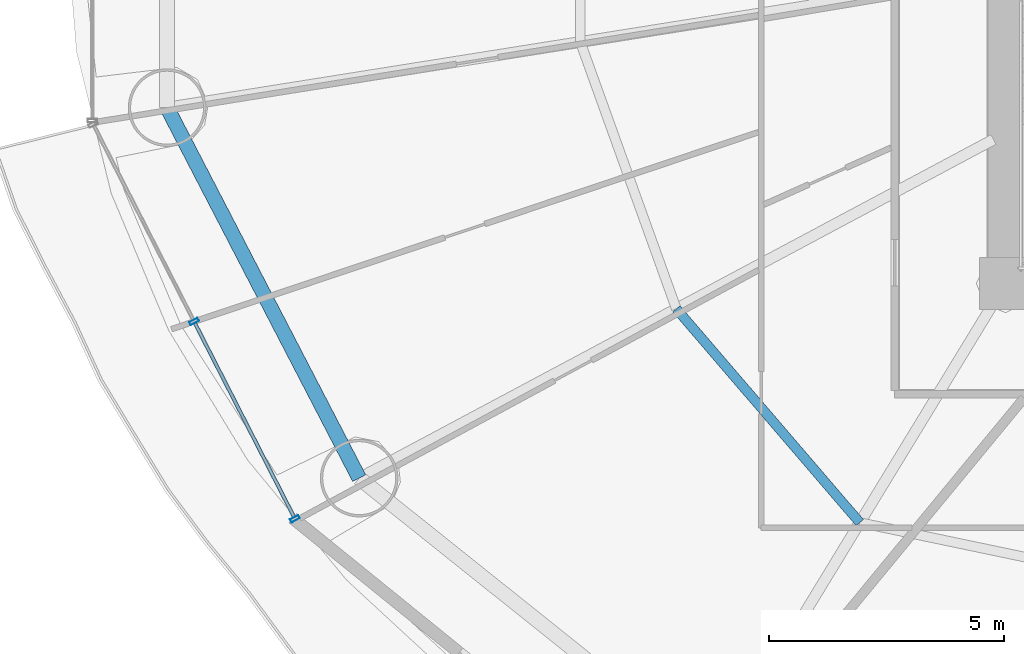
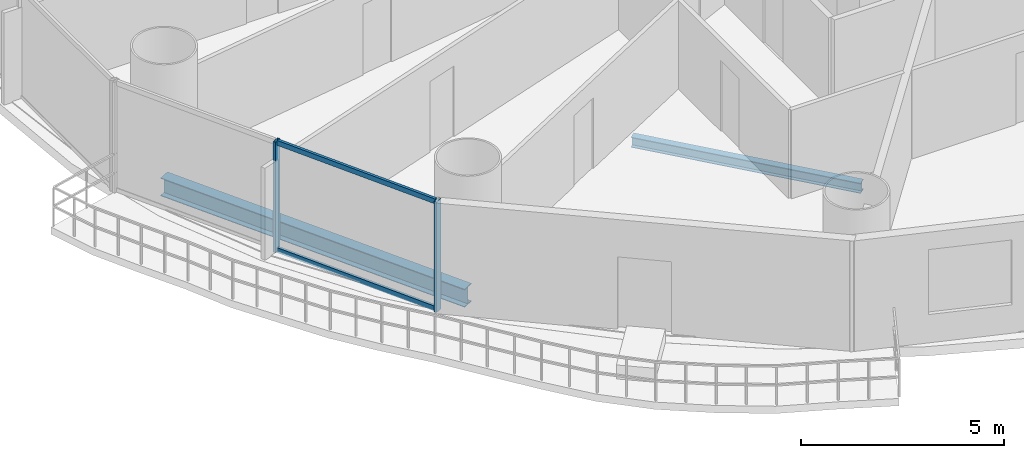
# One storey, part 2 of 29: 4 members, 2 beams, 1 element without a shape of its own.
"""IFC4 building model written with IfcOpenShell, lengths in metres."""

import ifcopenshell
import ifcopenshell.guid

model = None  # the IFC model being written
_history = None  # IfcOwnerHistory: only IFC2X3 demands one
_inside = {}  # id of a spatial element -> (the spatial element, [elements in it])
_under = {}  # id of a project, library or spatial element -> (it, [spatial elements below it])
_declared = {}  # id of a project -> (the project, [libraries it declares])
_typed = {}  # id of a type object -> (the type object, [elements of that type])
_made_of = {}  # id of a material, layer set ... -> (it, [elements and type objects made of it])


def new_model(schema):
    """Start an empty IFC model of exactly this schema.

    Asked for "IFC4X3", IfcOpenShell would pick the latest addendum, in which some entities
    have other attributes; the version numbers below select the first issue.
    IFC2X3 requires an IfcOwnerHistory on every rooted entity: one is made here for all.
    """
    global model, _history
    if schema == "IFC4X3":
        model = ifcopenshell.file(schema_version=(4, 3, 0, 0))
    else:
        model = ifcopenshell.file(schema=schema)
    _inside.clear()
    _under.clear()
    _declared.clear()
    _typed.clear()
    _made_of.clear()
    _history = None
    if model.schema == "IFC2X3":
        org = make("IfcOrganization", Name="unknown")
        user = make(
            "IfcPersonAndOrganization",
            ThePerson=make("IfcPerson", FamilyName="unknown"),
            TheOrganization=org,
        )
        app = make(
            "IfcApplication",
            ApplicationDeveloper=org,
            Version="unknown",
            ApplicationFullName="unknown",
            ApplicationIdentifier="unknown",
        )
        _history = make(
            "IfcOwnerHistory",
            OwningUser=user,
            OwningApplication=app,
            ChangeAction="ADDED",
            CreationDate=0,
        )
    return model


def make(cls, **values):
    """One entity of the class cls with the attributes given. An attribute that is None is left unset."""
    return model.create_entity(
        cls, **{name: value for name, value in values.items() if value is not None}
    )


def rooted(cls, **values):
    """An entity with a GlobalId (a new one), such as an element, a storey or a relation."""
    return make(cls, GlobalId=ifcopenshell.guid.new(), OwnerHistory=_history, **values)


def si_unit(unit_type, name, prefix=None):
    """IfcSIUnit, for example si_unit("LENGTHUNIT", "METRE", prefix="MILLI")."""
    return make("IfcSIUnit", UnitType=unit_type, Prefix=prefix, Name=name)


def assignment(units):
    """IfcUnitAssignment: the units of a project."""
    return None if units is None else make("IfcUnitAssignment", Units=units)


def point(xyz):
    """IfcCartesianPoint."""
    return None if xyz is None else make("IfcCartesianPoint", Coordinates=xyz)


def direction(xyz):
    """IfcDirection."""
    return None if xyz is None else make("IfcDirection", DirectionRatios=xyz)


def frame(location, z_axis=None, x_axis=None):
    """IfcAxis2Placement3D, a coordinate frame: its origin and axes. An axis left out is left unset."""
    return make(
        "IfcAxis2Placement3D",
        Location=point(location),
        Axis=direction(z_axis),
        RefDirection=direction(x_axis),
    )


def frame_2d(location, x_axis=None):
    """IfcAxis2Placement2D, a coordinate frame in the plane: its origin and x axis."""
    return make(
        "IfcAxis2Placement2D", Location=point(location), RefDirection=direction(x_axis)
    )


def origin():
    """The frame at (0, 0, 0) with its axes left unset."""
    return frame((0.0, 0.0, 0.0))


def origin_2d():
    """The frame at (0, 0) in the plane with its x axis left unset."""
    return frame_2d((0.0, 0.0))


def place(relative_to, where):
    """IfcLocalPlacement: puts the frame where relative to a parent placement (None: the world)."""
    return make(
        "IfcLocalPlacement", PlacementRelTo=relative_to, RelativePlacement=where
    )


def context(
    kind, dimensions, precision=None, world=None, true_north=None, identifier=None
):
    """IfcGeometricRepresentationContext, for example the 3D "Model" context."""
    return make(
        "IfcGeometricRepresentationContext",
        ContextIdentifier=identifier,
        ContextType=kind,
        CoordinateSpaceDimension=dimensions,
        Precision=precision,
        WorldCoordinateSystem=world,
        TrueNorth=true_north,
    )


def subcontext(parent, identifier, kind, view, scale=None):
    """IfcGeometricRepresentationSubContext, for example "Body" below "Model"."""
    return make(
        "IfcGeometricRepresentationSubContext",
        ContextIdentifier=identifier,
        ContextType=kind,
        ParentContext=parent,
        TargetScale=scale,
        TargetView=view,
    )


def project(units=None, contexts=None):
    """IfcProject with its units and contexts."""
    return rooted(
        "IfcProject",
        Name="project",
        RepresentationContexts=contexts,
        UnitsInContext=assignment(units),
    )


def spatial(cls, under=None, at=None, **own):
    """A site, building, storey or space (cls), placed at a placement, below another one or the project."""
    s = rooted(cls, ObjectPlacement=at, **own)
    if under is not None:
        _under.setdefault(under.id(), (under, []))[1].append(s)
    return s


def profile(cls, at=None, kind="AREA", **sizes):
    """A parametric profile (cls). Its sizes go by their IFC names, for example OverallWidth=200.0."""
    return make(cls, ProfileType=kind, Position=at, **sizes)


def hollow_rectangle(**sizes):
    """IfcRectangleHollowProfileDef."""
    return profile("IfcRectangleHollowProfileDef", **sizes)


def i_section(**sizes):
    """IfcIShapeProfileDef."""
    return profile("IfcIShapeProfileDef", **sizes)


def extrude(swept, where, along, depth):
    """IfcExtrudedAreaSolid: the profile swept, set in the frame where, extruded along a direction by depth."""
    return make(
        "IfcExtrudedAreaSolid",
        SweptArea=swept,
        Position=where,
        ExtrudedDirection=direction(along),
        Depth=depth,
    )


def shape(context_of_items, identifier, shape_type, items):
    """IfcShapeRepresentation: the items that make up one representation, for example the "Body"."""
    return make(
        "IfcShapeRepresentation",
        ContextOfItems=context_of_items,
        RepresentationIdentifier=identifier,
        RepresentationType=shape_type,
        Items=items,
    )


def source(mapping_origin, context_of_items, identifier, shape_type, items):
    """IfcRepresentationMap: a shape defined once, which mapped items show again and again."""
    return make(
        "IfcRepresentationMap",
        MappingOrigin=mapping_origin,
        MappedRepresentation=shape(context_of_items, identifier, shape_type, items),
    )


def transform(
    local_origin,
    x_axis=None,
    y_axis=None,
    z_axis=None,
    scale=None,
    scale2=None,
    scale3=None,
    uniform=True,
):
    """IfcCartesianTransformationOperator3D, or its non-uniform kind. x_axis, y_axis, z_axis: its Axis1, 2, 3."""
    if uniform:
        return make(
            "IfcCartesianTransformationOperator3D",
            Axis1=direction(x_axis),
            Axis2=direction(y_axis),
            LocalOrigin=point(local_origin),
            Scale=scale,
            Axis3=direction(z_axis),
        )
    return make(
        "IfcCartesianTransformationOperator3DnonUniform",
        Axis1=direction(x_axis),
        Axis2=direction(y_axis),
        LocalOrigin=point(local_origin),
        Scale=scale,
        Axis3=direction(z_axis),
        Scale2=scale2,
        Scale3=scale3,
    )


def mapped(mapping_source, mapping_target):
    """IfcMappedItem: shows the shape of a source again, moved by a transform."""
    return make(
        "IfcMappedItem", MappingSource=mapping_source, MappingTarget=mapping_target
    )


def material(Name=None, Category=None):
    """IfcMaterial."""
    return make("IfcMaterial", Name=Name, Category=Category)


def material_profile(
    of_material, cross_section, Name=None, Category=None, Priority=None
):
    """IfcMaterialProfile: a cross section and its material."""
    return make(
        "IfcMaterialProfile",
        Name=Name,
        Material=of_material,
        Profile=cross_section,
        Priority=Priority,
        Category=Category,
    )


def profile_set(profiles, Name=None, composite=None):
    """IfcMaterialProfileSet."""
    return make(
        "IfcMaterialProfileSet",
        Name=Name,
        MaterialProfiles=profiles,
        CompositeProfile=composite,
    )


def made_of(thing, what):
    """Note that an element or type object is made of a material, layer set ...; save() writes the relation."""
    if what is not None:
        _made_of.setdefault(what.id(), (what, []))[1].append(thing)
    return thing


def type_object(cls, material=None, **own):
    """A type object (cls), such as IfcWallType, which elements share."""
    return made_of(rooted(cls, **own), material)


def element(
    cls,
    number,
    at=None,
    inside=None,
    cuts=None,
    type_object=None,
    material=None,
    context=None,
    identifier="Body",
    shape_type=None,
    held_by="IfcProductDefinitionShape",
    body=None,
    shapes=None,
    **own,
):
    """One element of the class cls, such as IfcWall. Its Tag is "e" and its number.

    at: its placement. inside: the storey or other place that contains it. cuts: it is an
    opening in that element (IfcRelVoidsElement). A single representation is given by context,
    identifier, shape_type and body (its items); several are given by shapes. held_by: the class
    of the entity that holds the representations. save() writes the other relations.
    """
    e = rooted(cls, Tag="e%d" % number, ObjectPlacement=at, **own)
    if body is not None:
        shapes = [shape(context, identifier, shape_type, body)]
    if shapes is not None:
        e.Representation = make(held_by, Representations=shapes)
    if inside is not None:
        _inside.setdefault(inside.id(), (inside, []))[1].append(e)
    if cuts is not None:
        rooted(
            "IfcRelVoidsElement", RelatingBuildingElement=cuts, RelatedOpeningElement=e
        )
    if type_object is not None:
        _typed.setdefault(type_object.id(), (type_object, []))[1].append(e)
    return made_of(e, material)


def aggregate(whole, parts):
    """IfcRelAggregates: a whole, such as a stair, and the parts it consists of."""
    return rooted("IfcRelAggregates", RelatingObject=whole, RelatedObjects=parts)


def save(model, path):
    """Write the relations noted so far, then the file.

    IfcRelAggregates (storeys below a building ...), IfcRelContainedInSpatialStructure (elements
    in a storey), IfcRelDefinesByType, IfcRelAssociatesMaterial and IfcRelDeclares: one each for
    every whole, place, type object, material and project.
    """
    for whole, parts in _under.values():
        aggregate(whole, parts)
    for where, things in _inside.values():
        rooted(
            "IfcRelContainedInSpatialStructure",
            RelatedElements=things,
            RelatingStructure=where,
        )
    for kind, things in _typed.values():
        rooted("IfcRelDefinesByType", RelatedObjects=things, RelatingType=kind)
    for what, things in _made_of.values():
        rooted("IfcRelAssociatesMaterial", RelatedObjects=things, RelatingMaterial=what)
    for by, libraries in _declared.values():
        rooted("IfcRelDeclares", RelatingContext=by, RelatedDefinitions=libraries)
    model.write(path)


model = new_model("IFC4")

# Units and contexts
model_context = context("Model", 3, precision=1e-05, world=origin(), true_north=direction((-0.2419218956, 0.970295726276)))
body_context = subcontext(model_context, "Body", "Model", "MODEL_VIEW")
ifc_project = project(units=[si_unit("LENGTHUNIT", "METRE"), si_unit("AREAUNIT", "SQUARE_METRE"), si_unit("VOLUMEUNIT", "CUBIC_METRE"), si_unit("PLANEANGLEUNIT", "RADIAN"), si_unit("MASSUNIT", "GRAM", prefix="KILO")], contexts=[model_context])

# Site, building, storey
site_placement = place(None, origin())
site = spatial("IfcSite", under=ifc_project, at=site_placement, CompositionType="ELEMENT")
building_placement = place(site_placement, origin())
building = spatial("IfcBuilding", under=site, at=building_placement, Name="Cobrevalo Terracotta Tower", CompositionType="ELEMENT")
storey_placement = place(building_placement, frame((0.0, 0.0, 49.199951171875)))
storey = spatial("IfcBuildingStorey", under=building, at=storey_placement, Name="L12", CompositionType="ELEMENT", Elevation=49.199951171875)

# Beams
ifc_material_1 = material(Name="Steel S355", Category="steel")
ifc_material_profile_1 = material_profile(ifc_material_1, i_section(OverallWidth=0.2041015625, OverallDepth=0.305908203125, WebThickness=0.008544921875, FlangeThickness=0.0146484375, at=origin_2d()), Name="W 310x67")
ifc_profile_set_1 = profile_set([ifc_material_profile_1], Name="Steel S355")
beam_type_1 = type_object("IfcBeamType", Name="Structural Joist W 310x67 (Steel S355)", PredefinedType="JOIST", material=ifc_profile_set_1)
beam_1_placement = place(storey_placement, frame((22.002197265625, 18.26025390625, -0.432861328125), z_axis=(0.651328404454, -0.758795960421, 0.0), x_axis=(0.758795960421, 0.651328404454, 0.0)))
element("IfcBeam", 1, at=beam_1_placement, inside=storey, type_object=beam_type_1, Name="L12 circumferential secondary floor joist 10", PredefinedType="JOIST", context=body_context, shape_type="SweptSolid", body=[
    extrude(i_section(OverallWidth=0.2041015625, OverallDepth=0.305908203125, WebThickness=0.008544921875, FlangeThickness=0.0146484375, at=origin_2d()), origin(), (0.0, 0.0, 1.0), 5.98828125),
])
ifc_material_profile_2 = material_profile(ifc_material_1, i_section(OverallWidth=0.31201171875, OverallDepth=0.54296875, WebThickness=0.0126953125, FlangeThickness=0.020263671875, at=origin_2d()), Name="W 530x150")
ifc_profile_set_2 = profile_set([ifc_material_profile_2], Name="Steel S355")
beam_type_2 = type_object("IfcBeamType", Name="Structural Spandrel W 530x150 (Steel S355)", PredefinedType="SPANDREL", material=ifc_profile_set_2)
beam_2_placement = place(storey_placement, frame((11.175537109375, 22.537353515625, -0.551513671875), z_axis=(0.460285838799, -0.88777077368, 0.0), x_axis=(0.88777077368, 0.460285838799, 0.0)))
element("IfcBeam", 2, at=beam_2_placement, inside=storey, type_object=beam_type_2, Name="L12 perimeter ring spandrel 09", PredefinedType="SPANDREL", context=body_context, shape_type="SweptSolid", body=[
    extrude(i_section(OverallWidth=0.31201171875, OverallDepth=0.54296875, WebThickness=0.0126953125, FlangeThickness=0.020263671875, at=origin_2d()), origin(), (0.0, 0.0, 1.0), 8.8720703125),
])

# Curtain wall, members
ifc_material_2 = material(Name="Anodized aluminium", Category="aluminium")
curtain_wall_type = type_object("IfcCurtainWallType", Name="Lower-tower unitised acoustic low-E curtain wall CW-U1", PredefinedType="NOTDEFINED", material=ifc_material_2)
curtain_wall_placement = place(storey_placement, origin())
curtain_wall = element("IfcCurtainWall", 3, at=curtain_wall_placement, inside=storey, type_object=curtain_wall_type, Name="L12 curtain wall CW-L12-S09", PredefinedType="NOTDEFINED")
ifc_material_profile_3 = material_profile(ifc_material_2, hollow_rectangle(XDim=0.074951171875, YDim=0.199951171875, WallThickness=0.0048828125, at=origin_2d()), Name="CWM 75x200")
ifc_profile_set_3 = profile_set([ifc_material_profile_3], Name="Anodized aluminium")
member_type_1 = type_object("IfcMemberType", Name="Lower/mid tower unitised mullion 75x200", PredefinedType="MULLION", material=ifc_profile_set_3)
shared_shape_1 = source(origin(), body_context, "Body", "SweptSolid", [
    extrude(hollow_rectangle(XDim=0.074951171875, YDim=0.199951171875, WallThickness=0.0048828125, at=origin_2d()), origin(), (0.0, 0.0, 1.0), 3.320068359375),
])
member_1_placement = place(storey_placement, frame((11.74951171875, 17.990966796875, 0.0), z_axis=(0.0, 0.0, 1.0), x_axis=(0.455234136597, -0.890371765543, 0.0)))
member_1 = element("IfcMember", 4, at=member_1_placement, type_object=member_type_1, Name="CW-L12-S09 vertical mullion 02", PredefinedType="MULLION", context=body_context, shape_type="MappedRepresentation", body=[
    mapped(shared_shape_1, transform((0.0, 0.0, 0.0), scale=1.0)),
])
member_2_placement = place(storey_placement, frame((13.89404296875, 13.79638671875, 0.0), z_axis=(0.0, 0.0, 1.0), x_axis=(0.455234136597, -0.890371765543, 0.0)))
member_2 = element("IfcMember", 5, at=member_2_placement, type_object=member_type_1, Name="CW-L12-S09 vertical mullion 03", PredefinedType="MULLION", context=body_context, shape_type="MappedRepresentation", body=[
    mapped(shared_shape_1, transform((0.0, 0.0, 0.0), scale=1.0)),
])
ifc_material_profile_4 = material_profile(ifc_material_2, hollow_rectangle(XDim=0.074951171875, YDim=0.14990234375, WallThickness=0.00439453125, at=origin_2d()), Name="CWT 75x150")
ifc_profile_set_4 = profile_set([ifc_material_profile_4], Name="Anodized aluminium")
member_type_2 = type_object("IfcMemberType", Name="Tower unitised aluminium transom 75x150", PredefinedType="USERDEFINED", material=ifc_profile_set_4)
shared_shape_2 = source(origin(), body_context, "Body", "SweptSolid", [
    extrude(hollow_rectangle(XDim=0.074951171875, YDim=0.14990234375, WallThickness=0.00439453125, at=origin_2d()), origin(), (0.0, 0.0, 1.0), 4.631103515625),
])
member_3_placement = place(storey_placement, frame((11.767578125, 17.955322265625, 0.050048828125), z_axis=(0.455271744945, -0.89035253594, 0.0), x_axis=(0.89035253594, 0.455271744945, 0.0)))
member_3 = element("IfcMember", 6, at=member_3_placement, type_object=member_type_2, Name="CW-L12-S09 transom B02-T1", ObjectType="TRANSOM", PredefinedType="USERDEFINED", context=body_context, shape_type="MappedRepresentation", body=[
    mapped(shared_shape_2, transform((0.0, 0.0, 0.0), scale=1.0)),
])
member_4_placement = place(storey_placement, frame((11.767578125, 17.955322265625, 3.27001953125), z_axis=(0.455271744945, -0.89035253594, 0.0), x_axis=(0.89035253594, 0.455271744945, 0.0)))
member_4 = element("IfcMember", 7, at=member_4_placement, type_object=member_type_2, Name="CW-L12-S09 transom B02-T2", ObjectType="TRANSOM", PredefinedType="USERDEFINED", context=body_context, shape_type="MappedRepresentation", body=[
    mapped(shared_shape_2, transform((0.0, 0.0, 0.0), scale=1.0)),
])
aggregate(curtain_wall, [member_1, member_2, member_3, member_4])

save(model, "model.ifc")
